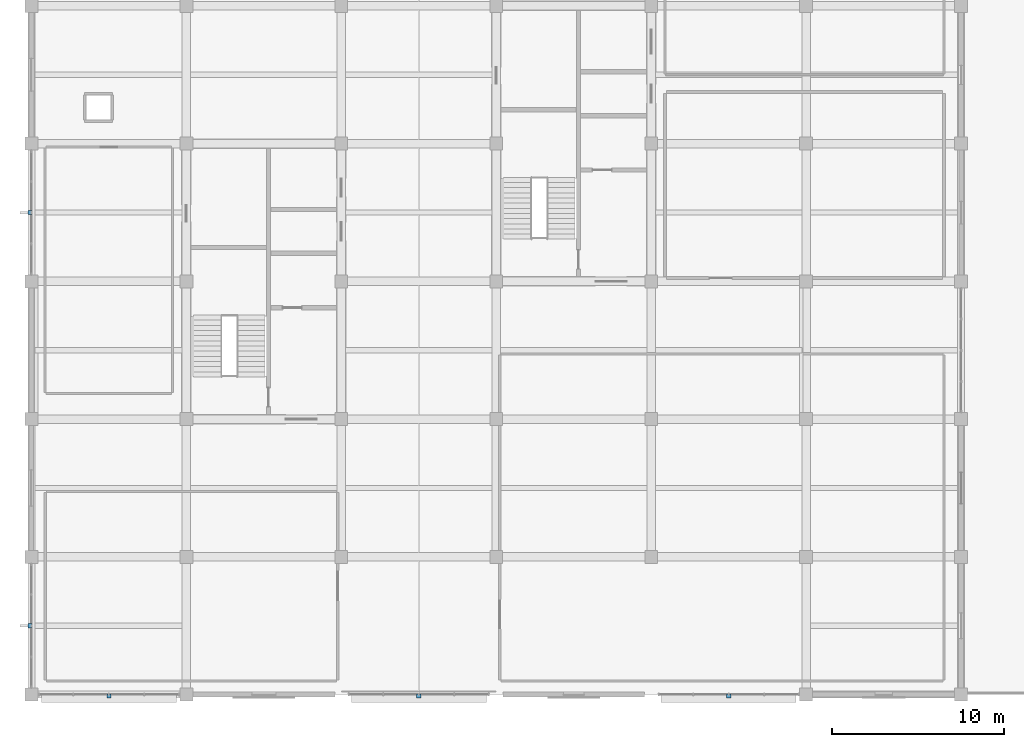
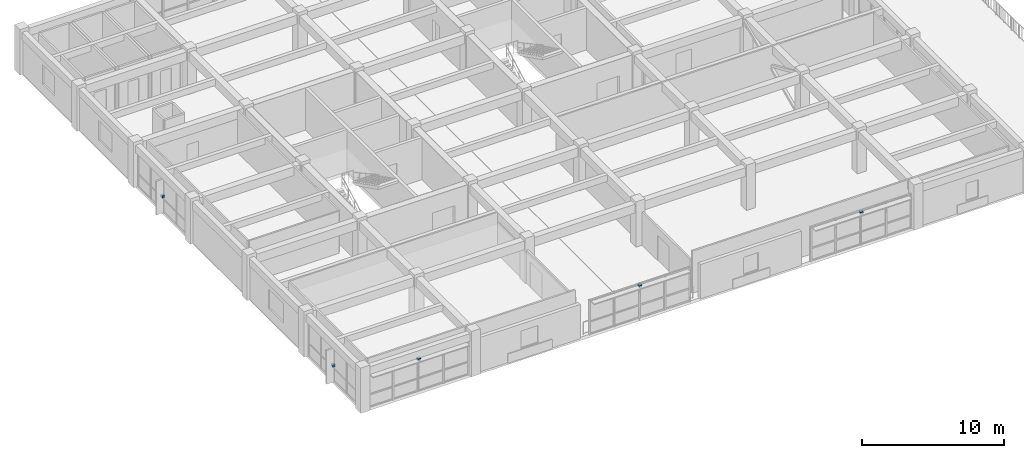
# One storey, part 14 of 15: 5 discrete accessories.
"""IFC4 building model written with IfcOpenShell, lengths in metres."""

from ifc_helpers import new_model, si_unit, direction, frame, origin, origin_2d, place, context, subcontext, project, spatial, rectangle, extrude, material, layer, layer_set, type_object, element, save


model = new_model("IFC4")

# Units and contexts
model_context = context("Model", 3, precision=1e-05, world=origin(), true_north=direction((0.0, 1.0)))
body_context = subcontext(model_context, "Body", "Model", "MODEL_VIEW")
ifc_project = project(units=[si_unit("LENGTHUNIT", "METRE"), si_unit("AREAUNIT", "SQUARE_METRE"), si_unit("VOLUMEUNIT", "CUBIC_METRE"), si_unit("PLANEANGLEUNIT", "RADIAN"), si_unit("MASSUNIT", "GRAM", prefix="KILO")], contexts=[model_context])

# Site, building, storey
site_placement = place(None, origin())
site = spatial("IfcSite", under=ifc_project, at=site_placement, CompositionType="ELEMENT")
building_placement = place(site_placement, origin())
building = spatial("IfcBuilding", under=site, at=building_placement, Name="Zaverband Oceanarium and Marine Research Institute", CompositionType="ELEMENT")
storey_placement = place(building_placement, frame((0.0, 0.0, 45.300048828125)))
storey = spatial("IfcBuildingStorey", under=building, at=storey_placement, Name="L11", CompositionType="ELEMENT", Elevation=45.300048828125)

# Discrete accessories
ifc_material = material(Name="Steel S355", Category="steel")
ifc_layer = layer(ifc_material, 0.179931640625, Name="Steel S355")
ifc_layer_set = layer_set([ifc_layer], Name="Steel S355")
discrete_accessory_type = type_object("IfcDiscreteAccessoryType", Name="BRK-STL-200", PredefinedType="BRACKET", material=ifc_layer_set)
for number, where, z_axis, x_axis, name in (
    (1, (13.5, 63.919921875, 2.72021484375), (0.0, 0.0, 1.0), (1.0, 0.0, 0.0), "Galvanized steel facade fin structural bracket BRK-STL-200"),
    (2, (31.5, 63.919921875, 2.72021484375), (0.0, 0.0, 1.0), (1.0, 0.0, 0.0), "Galvanized steel facade fin structural bracket BRK-STL-200"),
    (3, (49.5, 63.919921875, 2.72021484375), (0.0, 0.0, 1.0), (1.0, 0.0, 0.0), "Galvanized steel facade fin structural bracket BRK-STL-200"),
    (4, (8.919921875, 68.0, 1.31982421875), (0.0, 0.0, 1.0), (1.0, 0.0, 0.0), "Galvanized steel facade fin structural bracket BRK-STL-200"),
    (5, (8.919921875, 92.0, 1.31982421875), (0.0, 0.0, 1.0), (1.0, 0.0, 0.0), "Galvanized steel facade fin structural bracket BRK-STL-200"),
):
    element("IfcDiscreteAccessory", number, at=place(storey_placement, frame(where, z_axis=z_axis, x_axis=x_axis)), inside=storey, type_object=discrete_accessory_type, Name=name, PredefinedType="BRACKET", context=body_context, shape_type="SweptSolid", body=[
        extrude(rectangle(XDim=0.239990234375, YDim=0.239990234375, at=origin_2d()), origin(), (0.0, 0.0, 1.0), 0.179931640625),
    ])

save(model, "model.ifc")
